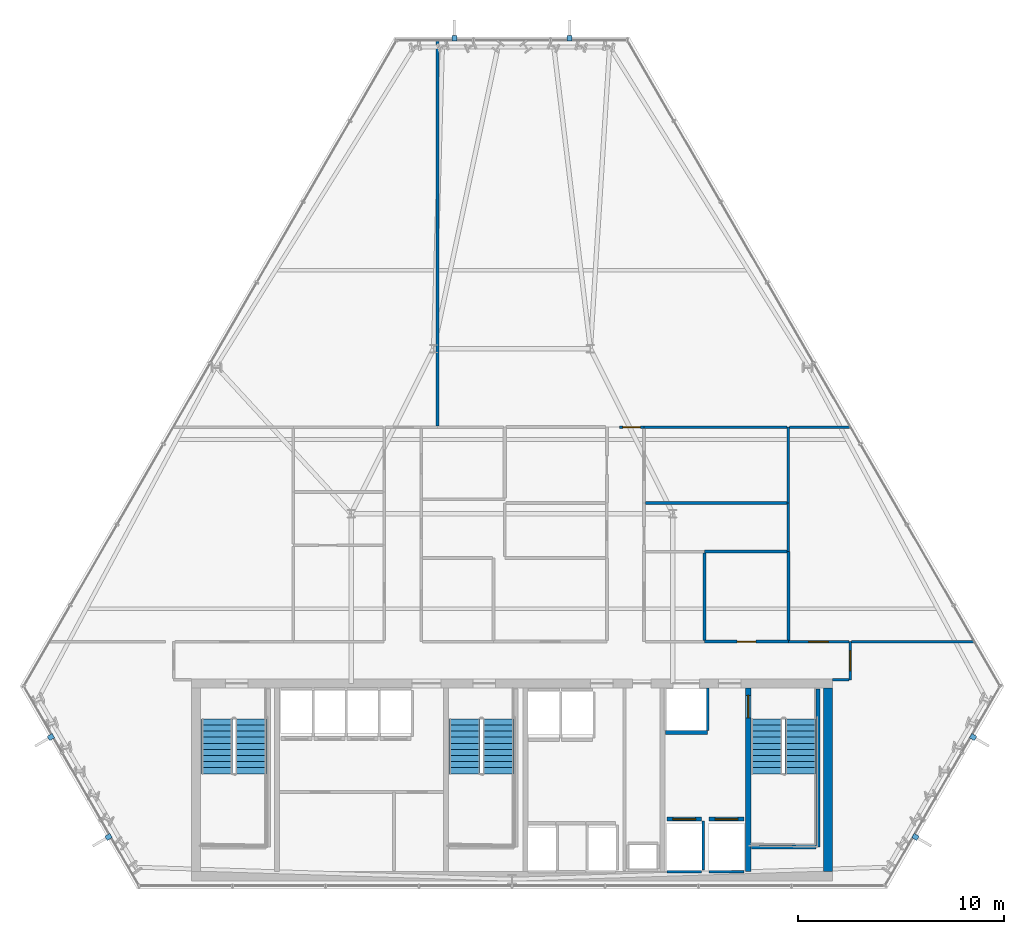
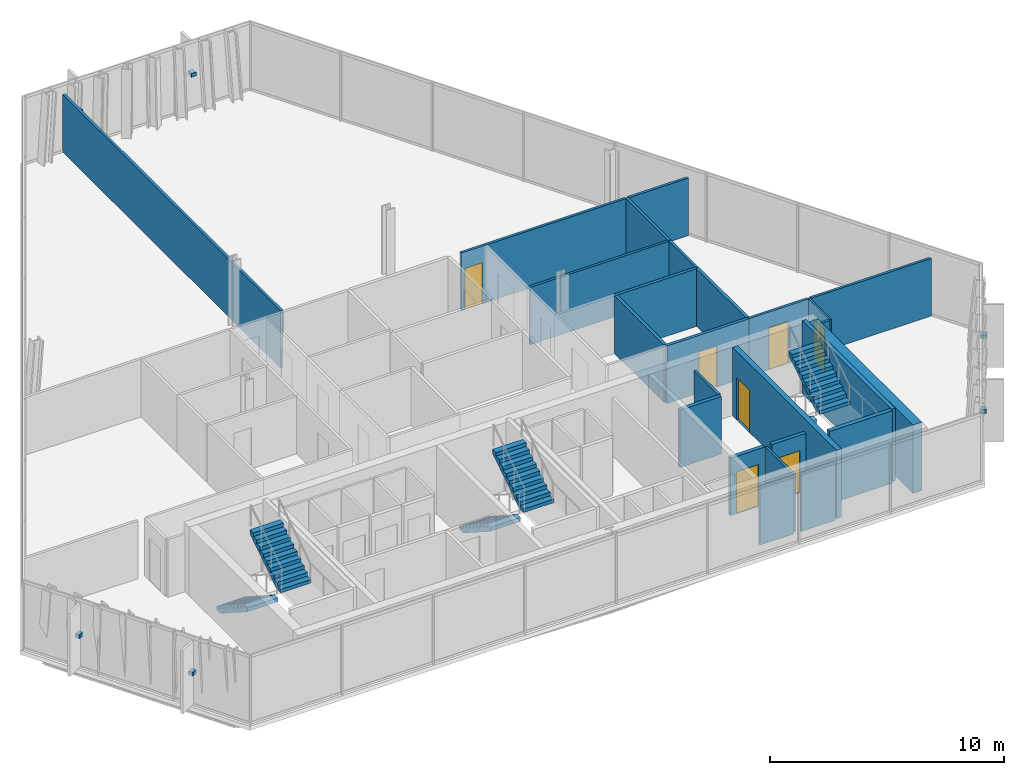
# One storey, part 28 of 32: 26 walls, 7 doors, 6 discrete accessories, 6 stair flights, 7 openings, 3 elements without a shape of their own.
"""IFC4 building model written with IfcOpenShell, lengths in metres."""

from ifc_helpers import new_model, si_unit, direction, frame, frame_2d, origin, origin_2d, place, context, subcontext, project, spatial, polyline, rectangle, outline, extrude, material, layer, layer_set, type_object, element, fill, aggregate, save


model = new_model("IFC4")

# Units and contexts
model_context = context("Model", 3, precision=1e-05, world=origin(), true_north=direction((0.0, 1.0)))
body_context = subcontext(model_context, "Body", "Model", "MODEL_VIEW")
ifc_project = project(units=[si_unit("LENGTHUNIT", "METRE"), si_unit("AREAUNIT", "SQUARE_METRE"), si_unit("VOLUMEUNIT", "CUBIC_METRE"), si_unit("PLANEANGLEUNIT", "RADIAN"), si_unit("MASSUNIT", "GRAM", prefix="KILO")], contexts=[model_context])

# Site, building, storey
site_placement = place(None, origin())
site = spatial("IfcSite", under=ifc_project, at=site_placement, CompositionType="ELEMENT")
building_placement = place(site_placement, origin())
building = spatial("IfcBuilding", under=site, at=building_placement, Name="Ndaravel Arena Tower", CompositionType="ELEMENT")
storey_placement = place(building_placement, frame((0.0, 0.0, 157.39990234375)))
storey = spatial("IfcBuildingStorey", under=building, at=storey_placement, Name="L37", CompositionType="ELEMENT", Elevation=157.39990234375)

# Wall, opening, door
ifc_material_1 = material(Name="Concrete C60/75", Category="concrete")
ifc_layer_1 = layer(ifc_material_1, 0.25)
ifc_layer_set_1 = layer_set([ifc_layer_1], Name="Concrete C60/75")
wall_type_1 = type_object("IfcWallType", Name="WALL-CORE-250", PredefinedType="SOLIDWALL", material=ifc_layer_set_1)
wall_1_placement = place(storey_placement, frame((53.449951171875, 5.85009765625, 0.0), z_axis=(0.0, 0.0, 1.0), x_axis=(0.0, 1.0, 0.0)))
wall_1 = element("IfcWall", 1, at=wall_1_placement, inside=storey, type_object=wall_type_1, Name="L37 Core Web Shear Wall 5", PredefinedType="SOLIDWALL", context=body_context, shape_type="SweptSolid", body=[
    extrude(rectangle(XDim=8.89990234375, YDim=0.25, at=frame_2d((4.449951171875, 0.0))), origin(), (0.0, 0.0, 1.0), 3.580078125),
])
opening_1_placement = place(wall_1_placement, frame((7.449951171875, 0.0, 0.0)))
opening_1 = element("IfcOpeningElement", 2, at=opening_1_placement, cuts=wall_1, Name="Opening FD-01", PredefinedType="OPENING", context=body_context, shape_type="SweptSolid", body=[
    extrude(rectangle(XDim=1.10009765625, YDim=2.199951171875, at=frame_2d((0.550048828125, 1.10009765625))), frame((0.0, 0.125, 0.0), z_axis=(0.0, -1.0, 0.0), x_axis=(1.0, 0.0, 0.0)), (0.0, 0.0, 1.0), 0.25),
])
ifc_material_2 = material(Name="Steel S355", Category="steel")
door_type_1 = type_object("IfcDoorType", Name="DT-01-STAIR-1100", OperationType="SINGLE_SWING_LEFT", PredefinedType="DOOR", material=ifc_material_2)
door_1_placement = place(opening_1_placement, origin())
door_1 = element("IfcDoor", 3, at=door_1_placement, inside=storey, type_object=door_type_1, Name="L37 Firefighting Lobby to ST-3 Door", OperationType="SINGLE_SWING_LEFT", OverallHeight=2.199951171875, OverallWidth=1.10009765625, PredefinedType="DOOR", context=body_context, shape_type="SweptSolid", body=[
    extrude(rectangle(XDim=1.10009765625, YDim=2.199951171875, at=frame_2d((0.550048828125, 1.10009765625))), frame((0.0, 0.02490234375, 0.0), z_axis=(0.0, -1.0, 0.0), x_axis=(1.0, 0.0, 0.0)), (0.0, 0.0, 1.0), 0.050048828125),
])
fill(opening_1, door_1)

# Wall
ifc_material_3 = material(Name="Concrete C60/75", Category="concrete")
ifc_layer_2 = layer(ifc_material_3, 0.449951171875)
ifc_layer_set_2 = layer_set([ifc_layer_2], Name="Concrete C60/75")
wall_type_2 = type_object("IfcWallType", Name="WALL-CORE-450", PredefinedType="SOLIDWALL", material=ifc_layer_set_2)
wall_2_placement = place(storey_placement, frame((57.324951171875, 5.85009765625, 0.0), z_axis=(0.0, 0.0, 1.0), x_axis=(0.0, 1.0, 0.0)))
element("IfcWall", 4, at=wall_2_placement, inside=storey, type_object=wall_type_2, Name="L37 Core East Shear Wall", PredefinedType="SOLIDWALL", context=body_context, shape_type="SweptSolid", body=[
    extrude(rectangle(XDim=8.89990234375, YDim=0.449951171875, at=frame_2d((4.449951171875, 0.0))), origin(), (0.0, 0.0, 1.0), 3.580078125),
])

# Wall, opening, door
ifc_material_4 = material(Name="Timber", Category="wood")
ifc_layer_3 = layer(ifc_material_4, 0.10009765625)
ifc_layer_set_3 = layer_set([ifc_layer_3], Name="Timber")
wall_type_3 = type_object("IfcWallType", Name="WALL-MOVABLE-100", PredefinedType="MOVABLE", material=ifc_layer_set_3)
wall_3_placement = place(storey_placement, frame((58.39990234375, 17.0, 0.0), z_axis=(0.0, 0.0, 1.0), x_axis=(0.0, -1.0, 0.0)))
wall_3 = element("IfcWall", 5, at=wall_3_placement, inside=storey, type_object=wall_type_3, Name="L37 Interior Partition 001", PredefinedType="MOVABLE", context=body_context, shape_type="SweptSolid", body=[
    extrude(rectangle(XDim=1.85009765625, YDim=0.10009765625, at=frame_2d((0.925048828125, 0.0))), origin(), (0.0, 0.0, 1.0), 3.010498046875),
])
opening_2_placement = place(wall_3_placement, frame((0.449951171875, 0.0, 0.0)))
opening_2 = element("IfcOpeningElement", 6, at=opening_2_placement, cuts=wall_3, Name="Opening ID-01", PredefinedType="OPENING", context=body_context, shape_type="SweptSolid", body=[
    extrude(rectangle(XDim=0.949951171875, YDim=2.199951171875, at=frame_2d((0.47509765625, 1.10009765625))), frame((0.0, 0.050048828125, 0.0), z_axis=(0.0, -1.0, 0.0), x_axis=(1.0, 0.0, 0.0)), (0.0, 0.0, 1.0), 0.10009765625),
])
ifc_material_5 = material(Name="Timber", Category="wood")
door_type_2 = type_object("IfcDoorType", Name="DT-03-OFFICE-950", OperationType="SINGLE_SWING_LEFT", PredefinedType="DOOR", material=ifc_material_5)
door_2_placement = place(opening_2_placement, origin())
door_2 = element("IfcDoor", 7, at=door_2_placement, inside=storey, type_object=door_type_2, Name="L37 Visitor Reception Desk Door", OperationType="SINGLE_SWING_LEFT", OverallHeight=2.199951171875, OverallWidth=0.949951171875, PredefinedType="DOOR", context=body_context, shape_type="SweptSolid", body=[
    extrude(rectangle(XDim=0.949951171875, YDim=2.199951171875, at=frame_2d((0.47509765625, 1.10009765625))), frame((0.0, 0.02490234375, 0.0), z_axis=(0.0, -1.0, 0.0), x_axis=(1.0, 0.0, 0.0)), (0.0, 0.0, 1.0), 0.050048828125),
])
fill(opening_2, door_2)

# Wall
ifc_material_6 = material(Name="Gypsum", Category="gypsum")
ifc_layer_4 = layer(ifc_material_6, 0.125)
ifc_layer_set_4 = layer_set([ifc_layer_4], Name="Gypsum")
wall_type_4 = type_object("IfcWallType", Name="WALL-PART-125", PredefinedType="PARTITIONING", material=ifc_layer_set_4)
wall_4_placement = place(storey_placement, frame((58.3349609375, 15.14990234375, 0.0), z_axis=(0.0, 0.0, 1.0), x_axis=(-1.0, 0.0, 0.0)))
element("IfcWall", 8, at=wall_4_placement, inside=storey, type_object=wall_type_4, Name="L37 Interior Partition 002", PredefinedType="PARTITIONING", context=body_context, shape_type="SweptSolid", body=[
    extrude(rectangle(XDim=0.784912109375, YDim=0.125, at=frame_2d((0.392578125, 0.0))), origin(), (0.0, 0.0, 1.0), 3.010498046875),
])

# Wall, opening, door
wall_5_placement = place(storey_placement, frame((55.39990234375, 17.0, 0.0), z_axis=(0.0, 0.0, 1.0), x_axis=(1.0, 0.0, 0.0)))
wall_5 = element("IfcWall", 9, at=wall_5_placement, inside=storey, type_object=wall_type_4, Name="L37 Interior Partition 025", PredefinedType="PARTITIONING", context=body_context, shape_type="SweptSolid", body=[
    extrude(rectangle(XDim=2.93505859375, YDim=0.125, at=frame_2d((1.467529296875, 0.0))), origin(), (0.0, 0.0, 1.0), 3.010498046875),
])
opening_3_placement = place(wall_5_placement, frame((0.992431640625, 0.0, 0.0)))
opening_3 = element("IfcOpeningElement", 10, at=opening_3_placement, cuts=wall_5, Name="Opening ID-01", PredefinedType="OPENING", context=body_context, shape_type="SweptSolid", body=[
    extrude(rectangle(XDim=0.949951171875, YDim=2.199951171875, at=frame_2d((0.47509765625, 1.10009765625))), frame((0.0, 0.0625, 0.0), z_axis=(0.0, -1.0, 0.0), x_axis=(1.0, 0.0, 0.0)), (0.0, 0.0, 1.0), 0.125),
])
door_3_placement = place(opening_3_placement, origin())
door_3 = element("IfcDoor", 11, at=door_3_placement, inside=storey, type_object=door_type_2, Name="L37 Concierge Arrival Salon 2 Door", OperationType="SINGLE_SWING_LEFT", OverallHeight=2.199951171875, OverallWidth=0.949951171875, PredefinedType="DOOR", context=body_context, shape_type="SweptSolid", body=[
    extrude(rectangle(XDim=0.949951171875, YDim=2.199951171875, at=frame_2d((0.47509765625, 1.10009765625))), frame((0.0, 0.02490234375, 0.0), z_axis=(0.0, -1.0, 0.0), x_axis=(1.0, 0.0, 0.0)), (0.0, 0.0, 1.0), 0.050048828125),
])
fill(opening_3, door_3)

# Walls
wall_6_placement = place(storey_placement, frame((58.465087890625, 17.0, 0.0), z_axis=(0.0, 0.0, 1.0), x_axis=(1.0, 0.0, 0.0)))
element("IfcWall", 12, at=wall_6_placement, inside=storey, type_object=wall_type_4, Name="L37 Interior Partition 027", PredefinedType="PARTITIONING", context=body_context, shape_type="SweptSolid", body=[
    extrude(rectangle(XDim=5.958740234375, YDim=0.125, at=frame_2d((2.9794921875, 0.0))), origin(), (0.0, 0.0, 1.0), 3.010498046875),
])
wall_7_placement = place(storey_placement, frame((55.39990234375, 21.367919921875, 0.0), z_axis=(0.0, 0.0, 1.0), x_axis=(0.0, 1.0, 0.0)))
element("IfcWall", 13, at=wall_7_placement, inside=storey, type_object=wall_type_4, Name="L37 Interior Partition 037", PredefinedType="PARTITIONING", context=body_context, shape_type="SweptSolid", body=[
    extrude(rectangle(XDim=2.3525390625, YDim=0.125, at=frame_2d((1.17626953125, 0.0))), origin(), (0.0, 0.0, 1.0), 3.010498046875),
])
wall_8_placement = place(storey_placement, frame((55.39990234375, 23.720458984375, 0.0), z_axis=(0.0, 0.0, 1.0), x_axis=(0.0, 1.0, 0.0)))
element("IfcWall", 14, at=wall_8_placement, inside=storey, type_object=wall_type_4, Name="L37 Interior Partition 038", PredefinedType="PARTITIONING", context=body_context, shape_type="SweptSolid", body=[
    extrude(rectangle(XDim=3.679443359375, YDim=0.125, at=frame_2d((1.83984375, 0.0))), origin(), (0.0, 0.0, 1.0), 3.010498046875),
])
wall_9_placement = place(storey_placement, frame((55.465087890625, 27.39990234375, 0.0), z_axis=(0.0, 0.0, 1.0), x_axis=(1.0, 0.0, 0.0)))
element("IfcWall", 15, at=wall_9_placement, inside=storey, type_object=wall_type_4, Name="L37 Interior Partition 039", PredefinedType="PARTITIONING", context=body_context, shape_type="SweptSolid", body=[
    extrude(rectangle(XDim=2.954345703125, YDim=0.125, at=frame_2d((1.47705078125, 0.0))), origin(), (0.0, 0.0, 1.0), 3.010498046875),
])
wall_10_placement = place(storey_placement, frame((48.465087890625, 23.720458984375, 0.0), z_axis=(0.0, 0.0, 1.0), x_axis=(1.0, 0.0, 0.0)))
element("IfcWall", 16, at=wall_10_placement, inside=storey, type_object=wall_type_4, Name="L37 Interior Partition 046", PredefinedType="PARTITIONING", context=body_context, shape_type="SweptSolid", body=[
    extrude(rectangle(XDim=6.869873046875, YDim=0.125, at=frame_2d((3.43505859375, 0.0))), origin(), (0.0, 0.0, 1.0), 3.010498046875),
])
wall_11_placement = place(storey_placement, frame((48.39990234375, 27.39990234375, 0.0), z_axis=(0.0, 0.0, 1.0), x_axis=(1.0, 0.0, 0.0)))
element("IfcWall", 17, at=wall_11_placement, inside=storey, type_object=wall_type_4, Name="L37 Interior Partition 050", PredefinedType="PARTITIONING", context=body_context, shape_type="SweptSolid", body=[
    extrude(rectangle(XDim=6.93505859375, YDim=0.125, at=frame_2d((3.467529296875, 0.0))), origin(), (0.0, 0.0, 1.0), 3.010498046875),
])
wall_12_placement = place(storey_placement, frame((38.3876953125, 46.15380859375, 0.0), z_axis=(0.0, 0.0, 1.0), x_axis=(0.0, -1.0, 0.0)))
element("IfcWall", 18, at=wall_12_placement, inside=storey, type_object=wall_type_4, Name="L37 Interior Partition 054", PredefinedType="PARTITIONING", context=body_context, shape_type="SweptSolid", body=[
    extrude(rectangle(XDim=18.688720703125, YDim=0.125, at=frame_2d((9.34423828125, 0.0))), origin(), (0.0, 0.0, 1.0), 3.010498046875),
])
ifc_material_7 = material(Name="Concrete C40/50", Category="concrete")
ifc_layer_5 = layer(ifc_material_7, 0.1201171875)
ifc_layer_set_5 = layer_set([ifc_layer_5], Name="Concrete C40/50")
wall_type_5 = type_object("IfcWallType", Name="WALL-SHAFT-120", PredefinedType="SOLIDWALL", material=ifc_layer_set_5)
wall_13_placement = place(storey_placement, frame((49.5048828125, 5.840087890625, 0.0), z_axis=(0.0, 0.0, 1.0), x_axis=(1.0, 0.0, 0.0)))
element("IfcWall", 19, at=wall_13_placement, inside=storey, type_object=wall_type_5, Name="L37 FFL-1 Shaft Rear Wall", PredefinedType="SOLIDWALL", context=body_context, shape_type="SweptSolid", body=[
    extrude(rectangle(XDim=1.690185546875, YDim=0.1201171875, at=frame_2d((0.84521484375, 0.0))), origin(), (0.0, 0.0, 1.0), 3.010498046875),
])
wall_14_placement = place(storey_placement, frame((51.27490234375, 5.929931640625, 0.0), z_axis=(0.0, 0.0, 1.0), x_axis=(0.0, 1.0, 0.0)))
element("IfcWall", 20, at=wall_14_placement, inside=storey, type_object=wall_type_5, Name="L37 FFL-1 Shaft Side R Wall", PredefinedType="SOLIDWALL", context=body_context, shape_type="SweptSolid", body=[
    extrude(rectangle(XDim=2.380126953125, YDim=0.1201171875, at=frame_2d((1.18994140625, 0.0))), origin(), (0.0, 0.0, 1.0), 3.010498046875),
])
wall_15_placement = place(storey_placement, frame((51.554931640625, 5.840087890625, 0.0), z_axis=(0.0, 0.0, 1.0), x_axis=(1.0, 0.0, 0.0)))
element("IfcWall", 21, at=wall_15_placement, inside=storey, type_object=wall_type_5, Name="L37 FFL-2 Shaft Rear Wall", PredefinedType="SOLIDWALL", context=body_context, shape_type="SweptSolid", body=[
    extrude(rectangle(XDim=1.690185546875, YDim=0.1201171875, at=frame_2d((0.84521484375, 0.0))), origin(), (0.0, 0.0, 1.0), 3.010498046875),
])
wall_16_placement = place(storey_placement, frame((51.47998046875, 12.68994140625, 0.0), z_axis=(0.0, 0.0, 1.0), x_axis=(0.0, 1.0, 0.0)))
element("IfcWall", 22, at=wall_16_placement, inside=storey, type_object=wall_type_5, Name="L37 SVL-1 Shaft E Wall", PredefinedType="SOLIDWALL", context=body_context, shape_type="SweptSolid", body=[
    extrude(rectangle(XDim=2.070068359375, YDim=0.1201171875, at=frame_2d((1.03515625, 0.0))), origin(), (0.0, 0.0, 1.0), 3.010498046875),
])
ifc_material_8 = material(Name="Concrete C40/50", Category="concrete")
ifc_layer_6 = layer(ifc_material_8, 0.199951171875)
ifc_layer_set_6 = layer_set([ifc_layer_6], Name="Concrete C40/50")
wall_type_6 = type_object("IfcWallType", Name="WALL-SHAFT-200", PredefinedType="SOLIDWALL", material=ifc_layer_set_6)
wall_17_placement = place(storey_placement, frame((56.840087890625, 14.699951171875, 0.0), z_axis=(0.0, 0.0, 1.0), x_axis=(0.0, -1.0, 0.0)))
element("IfcWall", 23, at=wall_17_placement, inside=storey, type_object=wall_type_6, Name="L37 ST-3 Structural Shaft Wall Right", PredefinedType="SOLIDWALL", context=body_context, shape_type="SweptSolid", body=[
    extrude(rectangle(XDim=7.64990234375, YDim=0.199951171875, at=frame_2d((3.824951171875, 0.0))), origin(), (0.0, 0.0, 1.0), 3.800048828125),
])
wall_18_placement = place(storey_placement, frame((53.6201171875, 7.050048828125, 0.0), z_axis=(0.0, 0.0, 1.0), x_axis=(1.0, 0.0, 0.0)))
element("IfcWall", 24, at=wall_18_placement, inside=storey, type_object=wall_type_6, Name="L37 ST-3 Structural Shaft Wall Far", PredefinedType="SOLIDWALL", context=body_context, shape_type="SweptSolid", body=[
    extrude(rectangle(XDim=3.114990234375, YDim=0.199951171875, at=frame_2d((1.5576171875, 0.0))), origin(), (0.0, 0.0, 1.0), 3.800048828125),
])

# Wall, opening, door
wall_19_placement = place(storey_placement, frame((49.5048828125, 8.39990234375, 0.0), z_axis=(0.0, 0.0, 1.0), x_axis=(1.0, 0.0, 0.0)))
wall_19 = element("IfcWall", 25, at=wall_19_placement, inside=storey, type_object=wall_type_6, Name="L37 FFL-1 Shaft Landing Wall", PredefinedType="SOLIDWALL", context=body_context, shape_type="SweptSolid", body=[
    extrude(rectangle(XDim=1.690185546875, YDim=0.179931640625, at=frame_2d((0.84521484375, 0.0))), origin(), (0.0, 0.0, 1.0), 3.010498046875),
])
opening_4_placement = place(wall_19_placement, frame((0.294921875, 0.0, 0.0)))
opening_4 = element("IfcOpeningElement", 26, at=opening_4_placement, cuts=wall_19, Name="Opening LD-01", PredefinedType="OPENING", context=body_context, shape_type="SweptSolid", body=[
    extrude(rectangle(XDim=1.10009765625, YDim=2.199951171875, at=frame_2d((0.550048828125, 1.10009765625))), frame((0.0, 0.08984375, 0.0), z_axis=(0.0, -1.0, 0.0), x_axis=(1.0, 0.0, 0.0)), (0.0, 0.0, 1.0), 0.179931640625),
])
ifc_material_9 = material(Name="Steel S355", Category="steel")
door_type_3 = type_object("IfcDoorType", Name="DT-06-LIFT-1100", OperationType="SLIDING_TO_LEFT", PredefinedType="DOOR", material=ifc_material_9)
door_4_placement = place(opening_4_placement, origin())
door_4 = element("IfcDoor", 27, at=door_4_placement, inside=storey, type_object=door_type_3, Name="L37 Lift FFL-1 Sliding Landing Door", OperationType="SLIDING_TO_LEFT", OverallHeight=2.199951171875, OverallWidth=1.10009765625, PredefinedType="DOOR", context=body_context, shape_type="SweptSolid", body=[
    extrude(rectangle(XDim=1.10009765625, YDim=2.199951171875, at=frame_2d((0.550048828125, 1.10009765625))), frame((0.0, 0.02490234375, 0.0), z_axis=(0.0, -1.0, 0.0), x_axis=(1.0, 0.0, 0.0)), (0.0, 0.0, 1.0), 0.050048828125),
])
fill(opening_4, door_4)

wall_20_placement = place(storey_placement, frame((51.554931640625, 8.39990234375, 0.0), z_axis=(0.0, 0.0, 1.0), x_axis=(1.0, 0.0, 0.0)))
wall_20 = element("IfcWall", 28, at=wall_20_placement, inside=storey, type_object=wall_type_6, Name="L37 FFL-2 Shaft Landing Wall", PredefinedType="SOLIDWALL", context=body_context, shape_type="SweptSolid", body=[
    extrude(rectangle(XDim=1.690185546875, YDim=0.179931640625, at=frame_2d((0.84521484375, 0.0))), origin(), (0.0, 0.0, 1.0), 3.010498046875),
])
opening_5_placement = place(wall_20_placement, frame((0.294921875, 0.0, 0.0)))
opening_5 = element("IfcOpeningElement", 29, at=opening_5_placement, cuts=wall_20, Name="Opening LD-01", PredefinedType="OPENING", context=body_context, shape_type="SweptSolid", body=[
    extrude(rectangle(XDim=1.10009765625, YDim=2.199951171875, at=frame_2d((0.550048828125, 1.10009765625))), frame((0.0, 0.08984375, 0.0), z_axis=(0.0, -1.0, 0.0), x_axis=(1.0, 0.0, 0.0)), (0.0, 0.0, 1.0), 0.179931640625),
])
door_5_placement = place(opening_5_placement, origin())
door_5 = element("IfcDoor", 30, at=door_5_placement, inside=storey, type_object=door_type_3, Name="L37 Lift FFL-2 Sliding Landing Door", OperationType="SLIDING_TO_LEFT", OverallHeight=2.199951171875, OverallWidth=1.10009765625, PredefinedType="DOOR", context=body_context, shape_type="SweptSolid", body=[
    extrude(rectangle(XDim=1.10009765625, YDim=2.199951171875, at=frame_2d((0.550048828125, 1.10009765625))), frame((0.0, 0.02490234375, 0.0), z_axis=(0.0, -1.0, 0.0), x_axis=(1.0, 0.0, 0.0)), (0.0, 0.0, 1.0), 0.050048828125),
])
fill(opening_5, door_5)

# Wall
wall_21_placement = place(storey_placement, frame((49.43994140625, 12.594970703125, 0.0), z_axis=(0.0, 0.0, 1.0), x_axis=(1.0, 0.0, 0.0)))
element("IfcWall", 31, at=wall_21_placement, inside=storey, type_object=wall_type_6, Name="L37 SVL-1 Shaft South Wall", PredefinedType="SOLIDWALL", context=body_context, shape_type="SweptSolid", body=[
    extrude(rectangle(XDim=2.0400390625, YDim=0.179931640625, at=frame_2d((1.02001953125, 0.0))), origin(), (0.0, 0.0, 1.0), 3.010498046875),
])

# Wall, opening, door
ifc_material_10 = material(Name="Masonry", Category="masonry")
ifc_layer_7 = layer(ifc_material_10, 0.14990234375)
ifc_layer_set_7 = layer_set([ifc_layer_7], Name="Masonry")
wall_type_7 = type_object("IfcWallType", Name="WALL-WET-150", PredefinedType="PARTITIONING", material=ifc_layer_set_7)
wall_22_placement = place(storey_placement, frame((47.199951171875, 27.39990234375, 0.0), z_axis=(0.0, 0.0, 1.0), x_axis=(1.0, 0.0, 0.0)))
wall_22 = element("IfcWall", 32, at=wall_22_placement, inside=storey, type_object=wall_type_7, Name="L37 Interior Partition 019", PredefinedType="PARTITIONING", context=body_context, shape_type="SweptSolid", body=[
    extrude(rectangle(XDim=1.199951171875, YDim=0.125, at=frame_2d((0.60009765625, 0.0))), origin(), (0.0, 0.0, 1.0), 3.010498046875),
])
opening_6_placement = place(wall_22_placement, frame((0.175048828125, 0.0, 0.0)))
opening_6 = element("IfcOpeningElement", 33, at=opening_6_placement, cuts=wall_22, Name="Opening ID-03", PredefinedType="OPENING", context=body_context, shape_type="SweptSolid", body=[
    extrude(rectangle(XDim=0.85009765625, YDim=2.14990234375, at=frame_2d((0.425048828125, 1.074951171875))), frame((0.0, 0.0625, 0.0), z_axis=(0.0, -1.0, 0.0), x_axis=(1.0, 0.0, 0.0)), (0.0, 0.0, 1.0), 0.125),
])
ifc_material_11 = material(Name="Timber", Category="wood")
door_type_4 = type_object("IfcDoorType", Name="DT-12-SUB-850", OperationType="SINGLE_SWING_LEFT", PredefinedType="DOOR", material=ifc_material_11)
door_6_placement = place(opening_6_placement, origin())
door_6 = element("IfcDoor", 34, at=door_6_placement, inside=storey, type_object=door_type_4, Name="L37 Training Classroom 8 Door", OperationType="SINGLE_SWING_LEFT", OverallHeight=2.14990234375, OverallWidth=0.85009765625, PredefinedType="DOOR", context=body_context, shape_type="SweptSolid", body=[
    extrude(rectangle(XDim=0.85009765625, YDim=2.14990234375, at=frame_2d((0.425048828125, 1.074951171875))), frame((0.0, 0.02490234375, 0.0), z_axis=(0.0, -1.0, 0.0), x_axis=(1.0, 0.0, 0.0)), (0.0, 0.0, 1.0), 0.050048828125),
])
fill(opening_6, door_6)

wall_23_placement = place(storey_placement, frame((51.340087890625, 17.0, 0.0), z_axis=(0.0, 0.0, 1.0), x_axis=(1.0, 0.0, 0.0)))
wall_23 = element("IfcWall", 35, at=wall_23_placement, inside=storey, type_object=wall_type_7, Name="L37 Interior Partition 024", PredefinedType="PARTITIONING", context=body_context, shape_type="SweptSolid", body=[
    extrude(rectangle(XDim=4.059814453125, YDim=0.14990234375, at=frame_2d((2.02978515625, 0.0))), origin(), (0.0, 0.0, 1.0), 3.010498046875),
])
opening_7_placement = place(wall_23_placement, frame((1.580078125, 0.0, 0.0)))
opening_7 = element("IfcOpeningElement", 36, at=opening_7_placement, cuts=wall_23, Name="Opening WD-01", PredefinedType="OPENING", context=body_context, shape_type="SweptSolid", body=[
    extrude(rectangle(XDim=0.89990234375, YDim=2.14990234375, at=frame_2d((0.449951171875, 1.074951171875))), frame((0.0, 0.074951171875, 0.0), z_axis=(0.0, -1.0, 0.0), x_axis=(1.0, 0.0, 0.0)), (0.0, 0.0, 1.0), 0.14990234375),
])
ifc_material_12 = material(Name="Timber", Category="wood")
door_type_5 = type_object("IfcDoorType", Name="DT-05-WC-900", OperationType="SINGLE_SWING_LEFT", PredefinedType="DOOR", material=ifc_material_12)
door_7_placement = place(opening_7_placement, origin())
door_7 = element("IfcDoor", 37, at=door_7_placement, inside=storey, type_object=door_type_5, Name="L37 Male Staff & Visitor Restroom Door", OperationType="SINGLE_SWING_LEFT", OverallHeight=2.14990234375, OverallWidth=0.89990234375, PredefinedType="DOOR", context=body_context, shape_type="SweptSolid", body=[
    extrude(rectangle(XDim=0.89990234375, YDim=2.14990234375, at=frame_2d((0.449951171875, 1.074951171875))), frame((0.0, 0.02490234375, 0.0), z_axis=(0.0, -1.0, 0.0), x_axis=(1.0, 0.0, 0.0)), (0.0, 0.0, 1.0), 0.050048828125),
])
fill(opening_7, door_7)

# Walls
wall_24_placement = place(storey_placement, frame((51.340087890625, 21.302978515625, 0.0), z_axis=(0.0, 0.0, 1.0), x_axis=(0.0, -1.0, 0.0)))
element("IfcWall", 38, at=wall_24_placement, inside=storey, type_object=wall_type_7, Name="L37 Interior Partition 032", PredefinedType="PARTITIONING", context=body_context, shape_type="SweptSolid", body=[
    extrude(rectangle(XDim=4.238037109375, YDim=0.14990234375, at=frame_2d((2.119140625, 0.0))), origin(), (0.0, 0.0, 1.0), 3.010498046875),
])
wall_25_placement = place(storey_placement, frame((55.39990234375, 21.367919921875, 0.0), z_axis=(0.0, 0.0, 1.0), x_axis=(0.0, -1.0, 0.0)))
element("IfcWall", 39, at=wall_25_placement, inside=storey, type_object=wall_type_7, Name="L37 Interior Partition 033", PredefinedType="PARTITIONING", context=body_context, shape_type="SweptSolid", body=[
    extrude(rectangle(XDim=4.302978515625, YDim=0.14990234375, at=frame_2d((2.1513671875, 0.0))), origin(), (0.0, 0.0, 1.0), 3.010498046875),
])
wall_26_placement = place(storey_placement, frame((51.340087890625, 21.367919921875, 0.0), z_axis=(0.0, 0.0, 1.0), x_axis=(1.0, 0.0, 0.0)))
element("IfcWall", 40, at=wall_26_placement, inside=storey, type_object=wall_type_7, Name="L37 Interior Partition 034", PredefinedType="PARTITIONING", context=body_context, shape_type="SweptSolid", body=[
    extrude(rectangle(XDim=3.994873046875, YDim=0.14990234375, at=frame_2d((1.99755859375, 0.0))), origin(), (0.0, 0.0, 1.0), 3.010498046875),
])

# Stair, stair flights
ifc_material_13 = material(Name="Concrete C40/50", Category="concrete")
stair_type = type_object("IfcStairType", Name="STAIR-CORE-HT", PredefinedType="HALF_TURN_STAIR", material=ifc_material_13)
stair_1_placement = place(storey_placement, origin())
stair_1 = element("IfcStair", 41, at=stair_1_placement, inside=storey, type_object=stair_type, Name="L37 ST-1", PredefinedType="HALF_TURN_STAIR")
ifc_material_14 = material(Name="Concrete C40/50", Category="concrete")
stair_flight_type = type_object("IfcStairFlightType", Name="SFLIGHT-CORE-1680", PredefinedType="STRAIGHT", material=ifc_material_14)
stair_flight_1_placement = place(storey_placement, frame((27.699951171875, 13.25, 0.0), z_axis=(0.0, 0.0, 1.0), x_axis=(0.0, -1.0, 0.0)))
stair_flight_1 = element("IfcStairFlight", 42, at=stair_flight_1_placement, type_object=stair_flight_type, Name="ST-1 flight 1", NumberOfRisers=10, NumberOfTreads=9, PredefinedType="STRAIGHT", RiserHeight=0.19, TreadLength=0.295, context=body_context, shape_type="SweptSolid", body=[
    extrude(outline(polyline([(0.0, 0.0), (0.0, 0.18994140625), (0.294921875, 0.18994140625), (0.294921875, 0.3798828125), (0.590087890625, 0.3798828125), (0.590087890625, 0.570068359375), (0.885009765625, 0.570068359375), (0.885009765625, 0.760009765625), (1.179931640625, 0.760009765625), (1.179931640625, 0.949951171875), (1.47509765625, 0.949951171875), (1.47509765625, 1.139892578125), (1.77001953125, 1.139892578125), (1.77001953125, 1.330078125), (2.06494140625, 1.330078125), (2.06494140625, 1.52001953125), (2.360107421875, 1.52001953125), (2.360107421875, 1.7099609375), (2.655029296875, 1.7099609375), (2.655029296875, 1.89990234375), (2.655029296875, 1.49609375), (0.332275390625, 0.0), (0.0, 0.0)])), frame((0.0, 0.75, 0.0), z_axis=(0.0, -1.0, 0.0), x_axis=(1.0, 0.0, 0.0)), (0.0, 0.0, 1.0), 1.5),
])
stair_flight_2_placement = place(storey_placement, frame((29.340087890625, 10.594970703125, 1.900146484375), z_axis=(0.0, 0.0, 1.0), x_axis=(0.0, 1.0, 0.0)))
stair_flight_2 = element("IfcStairFlight", 43, at=stair_flight_2_placement, type_object=stair_flight_type, Name="ST-1 flight 2", NumberOfRisers=10, NumberOfTreads=9, PredefinedType="STRAIGHT", RiserHeight=0.19, TreadLength=0.295, context=body_context, shape_type="SweptSolid", body=[
    extrude(outline(polyline([(0.0, 0.0), (0.0, 0.18994140625), (0.294921875, 0.18994140625), (0.294921875, 0.3798828125), (0.590087890625, 0.3798828125), (0.590087890625, 0.570068359375), (0.885009765625, 0.570068359375), (0.885009765625, 0.760009765625), (1.179931640625, 0.760009765625), (1.179931640625, 0.949951171875), (1.47509765625, 0.949951171875), (1.47509765625, 1.139892578125), (1.77001953125, 1.139892578125), (1.77001953125, 1.330078125), (2.06494140625, 1.330078125), (2.06494140625, 1.52001953125), (2.360107421875, 1.52001953125), (2.360107421875, 1.7099609375), (2.655029296875, 1.7099609375), (2.655029296875, 1.89990234375), (2.655029296875, 1.49609375), (0.332275390625, 0.0), (0.0, 0.0)])), frame((0.0, 0.75, 0.0), z_axis=(0.0, -1.0, 0.0), x_axis=(1.0, 0.0, 0.0)), (0.0, 0.0, 1.0), 1.5),
])
aggregate(stair_1, [stair_flight_1, stair_flight_2])

stair_2_placement = place(storey_placement, origin())
stair_2 = element("IfcStair", 44, at=stair_2_placement, inside=storey, type_object=stair_type, Name="L37 ST-2", PredefinedType="HALF_TURN_STAIR")
stair_flight_3_placement = place(storey_placement, frame((39.699951171875, 13.25, 0.0), z_axis=(0.0, 0.0, 1.0), x_axis=(0.0, -1.0, 0.0)))
stair_flight_3 = element("IfcStairFlight", 45, at=stair_flight_3_placement, type_object=stair_flight_type, Name="ST-2 flight 1", NumberOfRisers=10, NumberOfTreads=9, PredefinedType="STRAIGHT", RiserHeight=0.19, TreadLength=0.295, context=body_context, shape_type="SweptSolid", body=[
    extrude(outline(polyline([(0.0, 0.0), (0.0, 0.18994140625), (0.294921875, 0.18994140625), (0.294921875, 0.3798828125), (0.590087890625, 0.3798828125), (0.590087890625, 0.570068359375), (0.885009765625, 0.570068359375), (0.885009765625, 0.760009765625), (1.179931640625, 0.760009765625), (1.179931640625, 0.949951171875), (1.47509765625, 0.949951171875), (1.47509765625, 1.139892578125), (1.77001953125, 1.139892578125), (1.77001953125, 1.330078125), (2.06494140625, 1.330078125), (2.06494140625, 1.52001953125), (2.360107421875, 1.52001953125), (2.360107421875, 1.7099609375), (2.655029296875, 1.7099609375), (2.655029296875, 1.89990234375), (2.655029296875, 1.49609375), (0.332275390625, 0.0), (0.0, 0.0)])), frame((0.0, 0.75, 0.0), z_axis=(0.0, -1.0, 0.0), x_axis=(1.0, 0.0, 0.0)), (0.0, 0.0, 1.0), 1.5),
])
stair_flight_4_placement = place(storey_placement, frame((41.340087890625, 10.594970703125, 1.900146484375), z_axis=(0.0, 0.0, 1.0), x_axis=(0.0, 1.0, 0.0)))
stair_flight_4 = element("IfcStairFlight", 46, at=stair_flight_4_placement, type_object=stair_flight_type, Name="ST-2 flight 2", NumberOfRisers=10, NumberOfTreads=9, PredefinedType="STRAIGHT", RiserHeight=0.19, TreadLength=0.295, context=body_context, shape_type="SweptSolid", body=[
    extrude(outline(polyline([(0.0, 0.0), (0.0, 0.18994140625), (0.294921875, 0.18994140625), (0.294921875, 0.3798828125), (0.590087890625, 0.3798828125), (0.590087890625, 0.570068359375), (0.885009765625, 0.570068359375), (0.885009765625, 0.760009765625), (1.179931640625, 0.760009765625), (1.179931640625, 0.949951171875), (1.47509765625, 0.949951171875), (1.47509765625, 1.139892578125), (1.77001953125, 1.139892578125), (1.77001953125, 1.330078125), (2.06494140625, 1.330078125), (2.06494140625, 1.52001953125), (2.360107421875, 1.52001953125), (2.360107421875, 1.7099609375), (2.655029296875, 1.7099609375), (2.655029296875, 1.89990234375), (2.655029296875, 1.49609375), (0.332275390625, 0.0), (0.0, 0.0)])), frame((0.0, 0.75, 0.0), z_axis=(0.0, -1.0, 0.0), x_axis=(1.0, 0.0, 0.0)), (0.0, 0.0, 1.0), 1.5),
])
aggregate(stair_2, [stair_flight_3, stair_flight_4])

stair_3_placement = place(storey_placement, origin())
stair_3 = element("IfcStair", 47, at=stair_3_placement, inside=storey, type_object=stair_type, Name="L37 ST-3", PredefinedType="HALF_TURN_STAIR")
stair_flight_5_placement = place(storey_placement, frame((54.35009765625, 13.25, 0.0), z_axis=(0.0, 0.0, 1.0), x_axis=(0.0, -1.0, 0.0)))
stair_flight_5 = element("IfcStairFlight", 48, at=stair_flight_5_placement, type_object=stair_flight_type, Name="ST-3 flight 1", NumberOfRisers=10, NumberOfTreads=9, PredefinedType="STRAIGHT", RiserHeight=0.19, TreadLength=0.295, context=body_context, shape_type="SweptSolid", body=[
    extrude(outline(polyline([(0.0, 0.0), (0.0, 0.18994140625), (0.294921875, 0.18994140625), (0.294921875, 0.3798828125), (0.590087890625, 0.3798828125), (0.590087890625, 0.570068359375), (0.885009765625, 0.570068359375), (0.885009765625, 0.760009765625), (1.179931640625, 0.760009765625), (1.179931640625, 0.949951171875), (1.47509765625, 0.949951171875), (1.47509765625, 1.139892578125), (1.77001953125, 1.139892578125), (1.77001953125, 1.330078125), (2.06494140625, 1.330078125), (2.06494140625, 1.52001953125), (2.360107421875, 1.52001953125), (2.360107421875, 1.7099609375), (2.655029296875, 1.7099609375), (2.655029296875, 1.89990234375), (2.655029296875, 1.49609375), (0.332275390625, 0.0), (0.0, 0.0)])), frame((0.0, 0.75, 0.0), z_axis=(0.0, -1.0, 0.0), x_axis=(1.0, 0.0, 0.0)), (0.0, 0.0, 1.0), 1.5),
])
stair_flight_6_placement = place(storey_placement, frame((55.989990234375, 10.594970703125, 1.900146484375), z_axis=(0.0, 0.0, 1.0), x_axis=(0.0, 1.0, 0.0)))
stair_flight_6 = element("IfcStairFlight", 49, at=stair_flight_6_placement, type_object=stair_flight_type, Name="ST-3 flight 2", NumberOfRisers=10, NumberOfTreads=9, PredefinedType="STRAIGHT", RiserHeight=0.19, TreadLength=0.295, context=body_context, shape_type="SweptSolid", body=[
    extrude(outline(polyline([(0.0, 0.0), (0.0, 0.18994140625), (0.294921875, 0.18994140625), (0.294921875, 0.3798828125), (0.590087890625, 0.3798828125), (0.590087890625, 0.570068359375), (0.885009765625, 0.570068359375), (0.885009765625, 0.760009765625), (1.179931640625, 0.760009765625), (1.179931640625, 0.949951171875), (1.47509765625, 0.949951171875), (1.47509765625, 1.139892578125), (1.77001953125, 1.139892578125), (1.77001953125, 1.330078125), (2.06494140625, 1.330078125), (2.06494140625, 1.52001953125), (2.360107421875, 1.52001953125), (2.360107421875, 1.7099609375), (2.655029296875, 1.7099609375), (2.655029296875, 1.89990234375), (2.655029296875, 1.49609375), (0.332275390625, 0.0), (0.0, 0.0)])), frame((0.0, 0.75, 0.0), z_axis=(0.0, -1.0, 0.0), x_axis=(1.0, 0.0, 0.0)), (0.0, 0.0, 1.0), 1.5),
])
aggregate(stair_3, [stair_flight_5, stair_flight_6])

# Discrete accessories
ifc_material_15 = material(Name="Steel S355", Category="steel")
discrete_accessory_type = type_object("IfcDiscreteAccessoryType", Name="ACC-BRACKET-FIN", PredefinedType="BRACKET", material=ifc_material_15)
for number, where, z_axis, x_axis, name in (
    (50, (61.560302734375, 7.53125, 1.68994140625), (0.0, 0.0, 1.0), (0.866025403784, -0.5, 0.0), "L37 Mazeras Stone Solar Fin E2.1 Bracket"),
    (51, (64.356201171875, 12.3740234375, 1.68994140625), (0.0, 0.0, 1.0), (0.866025403784, -0.5, 0.0), "L37 Mazeras Stone Solar Fin E2.2 Bracket"),
    (52, (44.7958984375, 46.253662109375, 1.68994140625), (0.0, 0.0, 1.0), (0.0, 1.0, 0.0), "L37 Mazeras Stone Solar Fin E4.1 Bracket"),
    (53, (39.2041015625, 46.253662109375, 1.68994140625), (0.0, 0.0, 1.0), (0.0, 1.0, 0.0), "L37 Mazeras Stone Solar Fin E4.2 Bracket"),
    (54, (19.643798828125, 12.3740234375, 1.68994140625), (0.0, 0.0, 1.0), (-0.866025403784, -0.5, 0.0), "L37 Mazeras Stone Solar Fin E6.1 Bracket"),
    (55, (22.439697265625, 7.53125, 1.68994140625), (0.0, 0.0, 1.0), (-0.866025403784, -0.5, 0.0), "L37 Mazeras Stone Solar Fin E6.2 Bracket"),
):
    element("IfcDiscreteAccessory", number, at=place(storey_placement, frame(where, z_axis=z_axis, x_axis=x_axis)), inside=storey, type_object=discrete_accessory_type, Name=name, PredefinedType="BRACKET", context=body_context, shape_type="SweptSolid", body=[
        extrude(rectangle(XDim=0.280029296875, YDim=0.239990234375, at=origin_2d()), origin(), (0.0, 0.0, 1.0), 0.199951171875),
    ])

save(model, "model.ifc")
